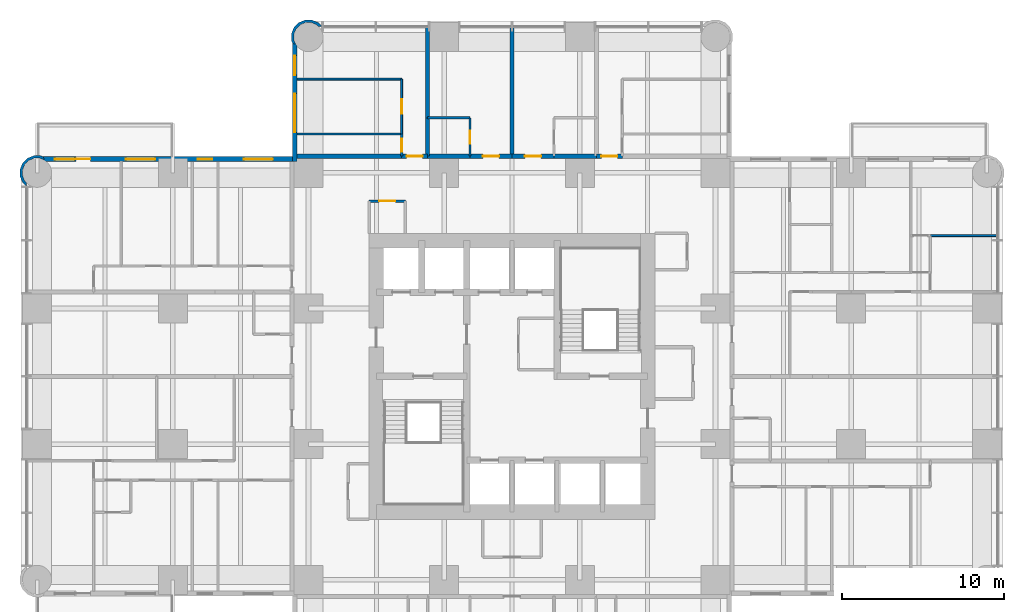
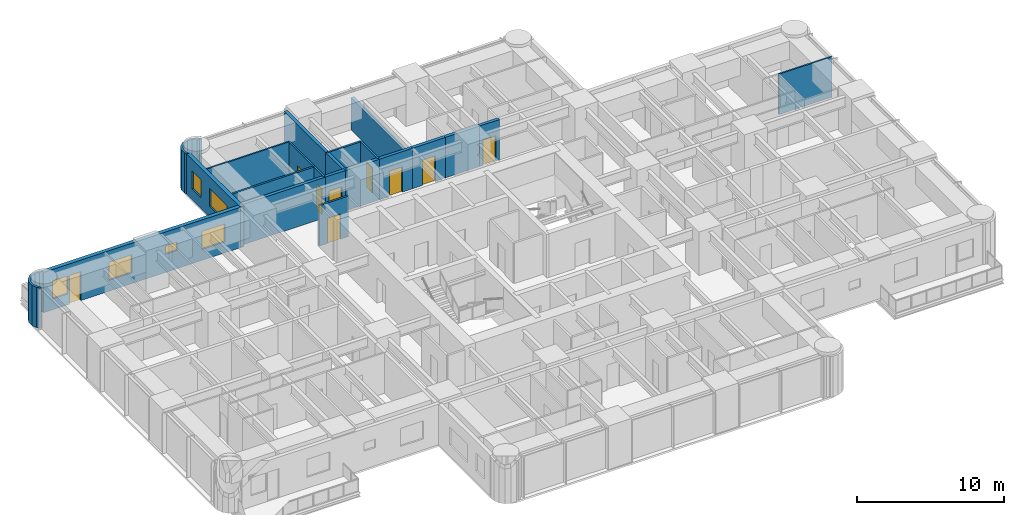
# One storey, part 11 of 14: 22 walls, 9 doors, 6 windows, 15 openings.
"""IFC4 building model written with IfcOpenShell, lengths in metres."""

from ifc_helpers import new_model, si_unit, direction, frame, frame_2d, origin, place, context, subcontext, project, spatial, polyline, rectangle, outline, extrude, material, layer, layer_set, type_object, element, fill, save


model = new_model("IFC4")

# Units and contexts
model_context = context("Model", 3, precision=1e-05, world=origin(), true_north=direction((0.0, 1.0)))
body_context = subcontext(model_context, "Body", "Model", "MODEL_VIEW")
ifc_project = project(units=[si_unit("LENGTHUNIT", "METRE"), si_unit("AREAUNIT", "SQUARE_METRE"), si_unit("VOLUMEUNIT", "CUBIC_METRE"), si_unit("PLANEANGLEUNIT", "RADIAN"), si_unit("MASSUNIT", "GRAM", prefix="KILO")], contexts=[model_context])

# Site, building, storey
site_placement = place(None, origin())
site = spatial("IfcSite", under=ifc_project, at=site_placement, CompositionType="ELEMENT")
building_placement = place(site_placement, origin())
building = spatial("IfcBuilding", under=site, at=building_placement, Name="Torre Alcanfor", CompositionType="ELEMENT")
storey_placement = place(building_placement, frame((0.0, 0.0, 173.699951171875)))
storey = spatial("IfcBuildingStorey", under=building, at=storey_placement, Name="L45", CompositionType="ELEMENT", Elevation=173.699951171875)

# Wall, opening, door
ifc_material_1 = material(Name="Concrete block masonry, hollow blocks NMX-C-404 9 MPa", Category="masonry")
ifc_layer_1 = layer(ifc_material_1, 0.25)
ifc_layer_set_1 = layer_set([ifc_layer_1], Name="Apartment entrance wall 250 EI 60")
wall_type_1 = type_object("IfcWallType", Name="Apartment entrance wall 250 EI 60", PredefinedType="PARTITIONING", material=ifc_layer_set_1)
wall_1_placement = place(storey_placement, frame((26.800048828125, 43.02490234375, 0.0), z_axis=(0.0, 0.0, 1.0), x_axis=(1.0, 0.0, 0.0)))
wall_1 = element("IfcWall", 1, at=wall_1_placement, inside=storey, type_object=wall_type_1, Name="Partition L45-CORR / L45-N1A-STUDIO", PredefinedType="PARTITIONING", context=body_context, shape_type="SweptSolid", body=[
    extrude(rectangle(XDim=2.599853515625, YDim=0.25, at=frame_2d((1.2998046875, 0.0))), origin(), (0.0, 0.0, 1.0), 3.35009765625),
])
opening_1_placement = place(wall_1_placement, frame((0.800048828125, 0.0, 0.0)))
opening_1 = element("IfcOpeningElement", 2, at=opening_1_placement, cuts=wall_1, Name="Opening D-A1", PredefinedType="OPENING", context=body_context, shape_type="SweptSolid", body=[
    extrude(rectangle(XDim=1.0, YDim=2.10009765625, at=frame_2d((0.5, 1.050048828125))), frame((0.0, 0.135009765625, 0.0), z_axis=(0.0, -1.0, 0.0), x_axis=(1.0, 0.0, 0.0)), (0.0, 0.0, 1.0), 0.27001953125),
])
ifc_material_2 = material(Name="Galvanised steel sheet ASTM A653", Category="steel")
door_type_1 = type_object("IfcDoorType", Name="Apartment entrance door FD60 1000x2100", OperationType="SINGLE_SWING_LEFT", PredefinedType="DOOR", material=ifc_material_2)
door_1_placement = place(opening_1_placement, origin())
door_1 = element("IfcDoor", 3, at=door_1_placement, inside=storey, type_object=door_type_1, Name="Apartment entrance L45-N1A", OperationType="SINGLE_SWING_LEFT", OverallHeight=2.10009765625, OverallWidth=1.0, PredefinedType="DOOR", context=body_context, shape_type="SweptSolid", body=[
    extrude(rectangle(XDim=1.0, YDim=2.10009765625, at=frame_2d((0.5, 1.050048828125))), frame((0.0, 0.02490234375, 0.0), z_axis=(0.0, -1.0, 0.0), x_axis=(1.0, 0.0, 0.0)), (0.0, 0.0, 1.0), 0.050048828125),
])
fill(opening_1, door_1)

# Wall
wall_2_placement = place(storey_placement, frame((24.1708984375, 43.02490234375, 0.0), z_axis=(0.0, 0.0, 1.0), x_axis=(1.0, 0.0, 0.0)))
element("IfcWall", 4, at=wall_2_placement, inside=storey, type_object=wall_type_1, Name="Partition L45-CORR / L45-N1A-BATH", PredefinedType="PARTITIONING", context=body_context, shape_type="SweptSolid", body=[
    extrude(rectangle(XDim=2.629150390625, YDim=0.25, at=frame_2d((1.314453125, 0.0))), origin(), (0.0, 0.0, 1.0), 3.35009765625),
])

# Wall, opening, door
wall_3_placement = place(storey_placement, frame((22.571044921875, 43.02490234375, 0.0), z_axis=(0.0, 0.0, 1.0), x_axis=(1.0, 0.0, 0.0)))
wall_3 = element("IfcWall", 5, at=wall_3_placement, inside=storey, type_object=wall_type_1, Name="Partition L45-CORR / L45-N1B-LIVING", PredefinedType="PARTITIONING", context=body_context, shape_type="SweptSolid", body=[
    extrude(rectangle(XDim=1.599853515625, YDim=0.25, at=frame_2d((0.7998046875, 0.0))), origin(), (0.0, 0.0, 1.0), 3.35009765625),
])
opening_2_placement = place(wall_3_placement, frame((0.300048828125, 0.0, 0.0)))
opening_2 = element("IfcOpeningElement", 6, at=opening_2_placement, cuts=wall_3, Name="Opening D-A1", PredefinedType="OPENING", context=body_context, shape_type="SweptSolid", body=[
    extrude(rectangle(XDim=1.0, YDim=2.10009765625, at=frame_2d((0.5, 1.050048828125))), frame((0.0, 0.135009765625, 0.0), z_axis=(0.0, -1.0, 0.0), x_axis=(1.0, 0.0, 0.0)), (0.0, 0.0, 1.0), 0.27001953125),
])
door_2_placement = place(opening_2_placement, origin())
door_2 = element("IfcDoor", 7, at=door_2_placement, inside=storey, type_object=door_type_1, Name="Apartment entrance L45-N1B", OperationType="SINGLE_SWING_LEFT", OverallHeight=2.10009765625, OverallWidth=1.0, PredefinedType="DOOR", context=body_context, shape_type="SweptSolid", body=[
    extrude(rectangle(XDim=1.0, YDim=2.10009765625, at=frame_2d((0.5, 1.050048828125))), frame((0.0, 0.02490234375, 0.0), z_axis=(0.0, -1.0, 0.0), x_axis=(1.0, 0.0, 0.0)), (0.0, 0.0, 1.0), 0.050048828125),
])
fill(opening_2, door_2)

# Wall
wall_4_placement = place(storey_placement, frame((16.10009765625, 43.02490234375, 0.0), z_axis=(0.0, 0.0, 1.0), x_axis=(1.0, 0.0, 0.0)))
element("IfcWall", 8, at=wall_4_placement, inside=storey, type_object=wall_type_1, Name="Partition L45-CORR / L45-N1B-BATH", PredefinedType="PARTITIONING", context=body_context, shape_type="SweptSolid", body=[
    extrude(rectangle(XDim=6.470947265625, YDim=0.25, at=frame_2d((3.2353515625, 0.0))), origin(), (0.0, 0.0, 1.0), 3.35009765625),
])

# Wall, opening, door
wall_5_placement = place(storey_placement, frame((29.39990234375, 43.02490234375, 0.0), z_axis=(0.0, 0.0, 1.0), x_axis=(1.0, 0.0, 0.0)))
wall_5 = element("IfcWall", 9, at=wall_5_placement, inside=storey, type_object=wall_type_1, Name="Partition L45-CORR / L45-N2A-STUDIO", PredefinedType="PARTITIONING", context=body_context, shape_type="SweptSolid", body=[
    extrude(rectangle(XDim=2.60009765625, YDim=0.25, at=frame_2d((1.300048828125, 0.0))), origin(), (0.0, 0.0, 1.0), 3.35009765625),
])
opening_3_placement = place(wall_5_placement, frame((0.800048828125, 0.0, 0.0)))
opening_3 = element("IfcOpeningElement", 10, at=opening_3_placement, cuts=wall_5, Name="Opening D-A1", PredefinedType="OPENING", context=body_context, shape_type="SweptSolid", body=[
    extrude(rectangle(XDim=1.0, YDim=2.10009765625, at=frame_2d((0.5, 1.050048828125))), frame((0.0, 0.135009765625, 0.0), z_axis=(0.0, -1.0, 0.0), x_axis=(1.0, 0.0, 0.0)), (0.0, 0.0, 1.0), 0.27001953125),
])
door_3_placement = place(opening_3_placement, origin())
door_3 = element("IfcDoor", 11, at=door_3_placement, inside=storey, type_object=door_type_1, Name="Apartment entrance L45-N2A", OperationType="SINGLE_SWING_LEFT", OverallHeight=2.10009765625, OverallWidth=1.0, PredefinedType="DOOR", context=body_context, shape_type="SweptSolid", body=[
    extrude(rectangle(XDim=1.0, YDim=2.10009765625, at=frame_2d((0.5, 1.050048828125))), frame((0.0, 0.02490234375, 0.0), z_axis=(0.0, -1.0, 0.0), x_axis=(1.0, 0.0, 0.0)), (0.0, 0.0, 1.0), 0.050048828125),
])
fill(opening_3, door_3)

# Wall
wall_6_placement = place(storey_placement, frame((32.0, 43.02490234375, 0.0), z_axis=(0.0, 0.0, 1.0), x_axis=(1.0, 0.0, 0.0)))
element("IfcWall", 12, at=wall_6_placement, inside=storey, type_object=wall_type_1, Name="Partition L45-CORR / L45-N2A-BATH", PredefinedType="PARTITIONING", context=body_context, shape_type="SweptSolid", body=[
    extrude(rectangle(XDim=2.62890625, YDim=0.25, at=frame_2d((1.314453125, 0.0))), origin(), (0.0, 0.0, 1.0), 3.35009765625),
])

# Wall, opening, door
wall_7_placement = place(storey_placement, frame((34.62890625, 43.02490234375, 0.0), z_axis=(0.0, 0.0, 1.0), x_axis=(1.0, 0.0, 0.0)))
wall_7 = element("IfcWall", 13, at=wall_7_placement, inside=storey, type_object=wall_type_1, Name="Partition L45-CORR / L45-N2B-LIVING", PredefinedType="PARTITIONING", context=body_context, shape_type="SweptSolid", body=[
    extrude(rectangle(XDim=1.60009765625, YDim=0.25, at=frame_2d((0.800048828125, 0.0))), origin(), (0.0, 0.0, 1.0), 3.35009765625),
])
opening_4_placement = place(wall_7_placement, frame((0.300048828125, 0.0, 0.0)))
opening_4 = element("IfcOpeningElement", 14, at=opening_4_placement, cuts=wall_7, Name="Opening D-A1", PredefinedType="OPENING", context=body_context, shape_type="SweptSolid", body=[
    extrude(rectangle(XDim=1.0, YDim=2.10009765625, at=frame_2d((0.5, 1.050048828125))), frame((0.0, 0.135009765625, 0.0), z_axis=(0.0, -1.0, 0.0), x_axis=(1.0, 0.0, 0.0)), (0.0, 0.0, 1.0), 0.27001953125),
])
door_4_placement = place(opening_4_placement, origin())
door_4 = element("IfcDoor", 15, at=door_4_placement, inside=storey, type_object=door_type_1, Name="Apartment entrance L45-N2B", OperationType="SINGLE_SWING_LEFT", OverallHeight=2.10009765625, OverallWidth=1.0, PredefinedType="DOOR", context=body_context, shape_type="SweptSolid", body=[
    extrude(rectangle(XDim=1.0, YDim=2.10009765625, at=frame_2d((0.5, 1.050048828125))), frame((0.0, 0.02490234375, 0.0), z_axis=(0.0, -1.0, 0.0), x_axis=(1.0, 0.0, 0.0)), (0.0, 0.0, 1.0), 0.050048828125),
])
fill(opening_4, door_4)

ifc_material_3 = material(Name="Gypsum board on steel studs", Category="steel")
ifc_layer_2 = layer(ifc_material_3, 0.1201171875)
ifc_layer_set_2 = layer_set([ifc_layer_2], Name="Apartment partition 120")
wall_type_2 = type_object("IfcWallType", Name="Apartment partition 120", PredefinedType="PARTITIONING", material=ifc_layer_set_2)
wall_8_placement = place(storey_placement, frame((22.571044921875, 44.39990234375, 0.0), z_axis=(0.0, 0.0, 1.0), x_axis=(0.0, 1.0, 0.0)))
wall_8 = element("IfcWall", 16, at=wall_8_placement, inside=storey, type_object=wall_type_2, Name="Partition L45-N1B-LIVING / L45-N1B-MASTER", PredefinedType="PARTITIONING", context=body_context, shape_type="SweptSolid", body=[
    extrude(rectangle(XDim=3.400146484375, YDim=0.1201171875, at=frame_2d((1.7001953125, 0.0))), origin(), (0.0, 0.0, 1.0), 3.35009765625),
])
opening_5_placement = place(wall_8_placement, frame((1.25, 0.0, 0.0)))
opening_5 = element("IfcOpeningElement", 17, at=opening_5_placement, cuts=wall_8, Name="Opening D-R1", PredefinedType="OPENING", context=body_context, shape_type="SweptSolid", body=[
    extrude(rectangle(XDim=0.89990234375, YDim=2.10009765625, at=frame_2d((0.449951171875, 1.050048828125))), frame((0.0, 0.070068359375, 0.0), z_axis=(0.0, -1.0, 0.0), x_axis=(1.0, 0.0, 0.0)), (0.0, 0.0, 1.0), 0.14013671875),
])
ifc_material_4 = material(Name="Timber", Category="wood")
door_type_2 = type_object("IfcDoorType", Name="Internal door 900x2100", OperationType="SINGLE_SWING_LEFT", PredefinedType="DOOR", material=ifc_material_4)
door_5_placement = place(opening_5_placement, origin())
door_5 = element("IfcDoor", 18, at=door_5_placement, inside=storey, type_object=door_type_2, Name="Door L45-N1B master", OperationType="SINGLE_SWING_LEFT", OverallHeight=2.10009765625, OverallWidth=0.89990234375, PredefinedType="DOOR", context=body_context, shape_type="SweptSolid", body=[
    extrude(rectangle(XDim=0.89990234375, YDim=2.10009765625, at=frame_2d((0.449951171875, 1.050048828125))), frame((0.0, 0.02490234375, 0.0), z_axis=(0.0, -1.0, 0.0), x_axis=(1.0, 0.0, 0.0)), (0.0, 0.0, 1.0), 0.050048828125),
])
fill(opening_5, door_5)

# Walls
wall_9_placement = place(storey_placement, frame((22.571044921875, 47.800048828125, 0.0), z_axis=(0.0, 0.0, 1.0), x_axis=(-1.0, 0.0, 0.0)))
element("IfcWall", 19, at=wall_9_placement, inside=storey, type_object=wall_type_2, Name="Partition L45-N1B-LIVING / L45-N1B-MASTER", PredefinedType="PARTITIONING", context=body_context, shape_type="SweptSolid", body=[
    extrude(rectangle(XDim=6.470947265625, YDim=0.1201171875, at=frame_2d((3.2353515625, 0.0))), origin(), (0.0, 0.0, 1.0), 3.35009765625),
])
wall_10_placement = place(storey_placement, frame((59.449951171875, 38.114013671875, 0.0), z_axis=(0.0, 0.0, 1.0), x_axis=(-1.0, 0.0, 0.0)))
element("IfcWall", 20, at=wall_10_placement, inside=storey, type_object=wall_type_2, Name="Partition L45-E1-BED2 / L45-E1-MASTER", PredefinedType="PARTITIONING", context=body_context, shape_type="SweptSolid", body=[
    extrude(rectangle(XDim=4.14990234375, YDim=0.1201171875, at=frame_2d((2.074951171875, 0.0))), origin(), (0.0, 0.0, 1.0), 3.35009765625),
])

# Wall, openings, door, windows
ifc_material_5 = material(Name="Limestone cladding", Category="masonry")
ifc_layer_3 = layer(ifc_material_5, 0.0400390625, Name="Facing")
ifc_material_6 = material(Name="Ventilated air cavity")
ifc_layer_4 = layer(ifc_material_6, 0.02001953125, ventilated=True, Name="Ventilated joint")
ifc_material_7 = material(Name="Mineral wool insulation", Category="insulation")
ifc_layer_5 = layer(ifc_material_7, 0.10009765625, Name="Insulation")
ifc_material_8 = material(Name="Concrete f'c 35 MPa", Category="concrete")
ifc_layer_6 = layer(ifc_material_8, 0.139892578125, Name="Backing")
ifc_layer_set_3 = layer_set([ifc_layer_3, ifc_layer_4, ifc_layer_5, ifc_layer_6], Name="External wall stone-clad 300")
wall_type_3 = type_object("IfcWallType", Name="External wall stone-clad 300", PredefinedType="SOLIDWALL", material=ifc_layer_set_3)
wall_11_placement = place(storey_placement, frame((15.800048828125, 42.85009765625, 0.0), z_axis=(0.0, 0.0, 1.0), x_axis=(-1.0, 0.0, 0.0)))
wall_11 = element("IfcWall", 21, at=wall_11_placement, inside=storey, type_object=wall_type_3, Name="External wall L45 1", PredefinedType="SOLIDWALL", context=body_context, shape_type="SweptSolid", body=[
    extrude(rectangle(XDim=15.400146484375, YDim=0.300048828125, at=frame_2d((7.7001953125, 0.0))), origin(), (0.0, 0.0, 1.0), 3.35009765625),
])
opening_6_placement = place(wall_11_placement, frame((1.199951171875, 0.0, 0.89990234375)))
opening_6 = element("IfcOpeningElement", 22, at=opening_6_placement, cuts=wall_11, Name="Opening W2", PredefinedType="OPENING", context=body_context, shape_type="SweptSolid", body=[
    extrude(rectangle(XDim=1.800048828125, YDim=1.5, at=frame_2d((0.89990234375, 0.75))), frame((0.0, 0.159912109375, 0.0), z_axis=(0.0, -1.0, 0.0), x_axis=(1.0, 0.0, 0.0)), (0.0, 0.0, 1.0), 0.320068359375),
])
opening_7_placement = place(wall_11_placement, frame((4.949951171875, 0.0, 1.5)))
opening_7 = element("IfcOpeningElement", 23, at=opening_7_placement, cuts=wall_11, Name="Opening W3", PredefinedType="OPENING", context=body_context, shape_type="SweptSolid", body=[
    extrude(rectangle(XDim=0.89990234375, YDim=0.699951171875, at=frame_2d((0.449951171875, 0.35009765625))), frame((0.0, 0.159912109375, 0.0), z_axis=(0.0, -1.0, 0.0), x_axis=(1.0, 0.0, 0.0)), (0.0, 0.0, 1.0), 0.320068359375),
])
opening_8_placement = place(wall_11_placement, frame((8.5, 0.0, 0.89990234375)))
opening_8 = element("IfcOpeningElement", 24, at=opening_8_placement, cuts=wall_11, Name="Opening W2", PredefinedType="OPENING", context=body_context, shape_type="SweptSolid", body=[
    extrude(rectangle(XDim=1.800048828125, YDim=1.5, at=frame_2d((0.89990234375, 0.75))), frame((0.0, 0.159912109375, 0.0), z_axis=(0.0, -1.0, 0.0), x_axis=(1.0, 0.0, 0.0)), (0.0, 0.0, 1.0), 0.320068359375),
])
opening_9_placement = place(wall_11_placement, frame((12.5, 0.0, 0.0)))
opening_9 = element("IfcOpeningElement", 25, at=opening_9_placement, cuts=wall_11, Name="Opening D-B1", PredefinedType="OPENING", context=body_context, shape_type="SweptSolid", body=[
    extrude(rectangle(XDim=0.89990234375, YDim=2.39990234375, at=frame_2d((0.449951171875, 1.199951171875))), frame((0.0, 0.159912109375, 0.0), z_axis=(0.0, -1.0, 0.0), x_axis=(1.0, 0.0, 0.0)), (0.0, 0.0, 1.0), 0.320068359375),
])
opening_10_placement = place(wall_11_placement, frame((13.5, 0.0, 0.89990234375)))
opening_10 = element("IfcOpeningElement", 26, at=opening_10_placement, cuts=wall_11, Name="Opening W4", PredefinedType="OPENING", context=body_context, shape_type="SweptSolid", body=[
    extrude(rectangle(XDim=1.199951171875, YDim=1.5, at=frame_2d((0.60009765625, 0.75))), frame((0.0, 0.159912109375, 0.0), z_axis=(0.0, -1.0, 0.0), x_axis=(1.0, 0.0, 0.0)), (0.0, 0.0, 1.0), 0.320068359375),
])
ifc_material_9 = material(Name="Aluminium and glass", Category="aluminium")
door_type_3 = type_object("IfcDoorType", Name="Balcony door glazed 900x2400", OperationType="SINGLE_SWING_LEFT", PredefinedType="DOOR", material=ifc_material_9)
door_6_placement = place(opening_9_placement, origin())
door_6 = element("IfcDoor", 27, at=door_6_placement, inside=storey, type_object=door_type_3, Name="Balcony door L45-W2", OperationType="SINGLE_SWING_LEFT", OverallHeight=2.39990234375, OverallWidth=0.89990234375, PredefinedType="DOOR", context=body_context, shape_type="SweptSolid", body=[
    extrude(rectangle(XDim=0.89990234375, YDim=2.39990234375, at=frame_2d((0.449951171875, 1.199951171875))), frame((0.0, 0.02490234375, 0.0), z_axis=(0.0, -1.0, 0.0), x_axis=(1.0, 0.0, 0.0)), (0.0, 0.0, 1.0), 0.050048828125),
])
fill(opening_9, door_6)
ifc_material_10 = material(Name="Aluminium frame with clear double glazing", Category="aluminium")
window_type_1 = type_object("IfcWindowType", Name="Window bathroom 900x700", PartitioningType="SINGLE_PANEL", PredefinedType="WINDOW", material=ifc_material_10)
window_1_placement = place(opening_7_placement, origin())
window_1 = element("IfcWindow", 28, at=window_1_placement, inside=storey, type_object=window_type_1, Name="Window W3 L45-W2", OverallHeight=0.699951171875, OverallWidth=0.89990234375, PartitioningType="SINGLE_PANEL", PredefinedType="WINDOW", context=body_context, shape_type="SweptSolid", body=[
    extrude(rectangle(XDim=0.89990234375, YDim=0.699951171875, at=frame_2d((0.449951171875, 0.35009765625))), frame((0.0, 0.030029296875, 0.0), z_axis=(0.0, -1.0, 0.0), x_axis=(1.0, 0.0, 0.0)), (0.0, 0.0, 1.0), 0.06005859375),
])
fill(opening_7, window_1)
ifc_material_11 = material(Name="Aluminium frame with clear double glazing", Category="aluminium")
window_type_2 = type_object("IfcWindowType", Name="Window bedroom 1200x1500", PartitioningType="SINGLE_PANEL", PredefinedType="WINDOW", material=ifc_material_11)
window_2_placement = place(opening_10_placement, origin())
window_2 = element("IfcWindow", 29, at=window_2_placement, inside=storey, type_object=window_type_2, Name="Window W4 L45-W2", OverallHeight=1.5, OverallWidth=1.199951171875, PartitioningType="SINGLE_PANEL", PredefinedType="WINDOW", context=body_context, shape_type="SweptSolid", body=[
    extrude(rectangle(XDim=1.199951171875, YDim=1.5, at=frame_2d((0.60009765625, 0.75))), frame((0.0, 0.030029296875, 0.0), z_axis=(0.0, -1.0, 0.0), x_axis=(1.0, 0.0, 0.0)), (0.0, 0.0, 1.0), 0.06005859375),
])
fill(opening_10, window_2)
ifc_material_12 = material(Name="Aluminium frame with clear double glazing", Category="aluminium")
window_type_3 = type_object("IfcWindowType", Name="Window bedroom 1800x1500", PartitioningType="SINGLE_PANEL", PredefinedType="WINDOW", material=ifc_material_12)
window_3_placement = place(opening_6_placement, origin())
window_3 = element("IfcWindow", 30, at=window_3_placement, inside=storey, type_object=window_type_3, Name="Window W2 L45-W2", OverallHeight=1.5, OverallWidth=1.800048828125, PartitioningType="SINGLE_PANEL", PredefinedType="WINDOW", context=body_context, shape_type="SweptSolid", body=[
    extrude(rectangle(XDim=1.800048828125, YDim=1.5, at=frame_2d((0.89990234375, 0.75))), frame((0.0, 0.030029296875, 0.0), z_axis=(0.0, -1.0, 0.0), x_axis=(1.0, 0.0, 0.0)), (0.0, 0.0, 1.0), 0.06005859375),
])
fill(opening_6, window_3)
window_4_placement = place(opening_8_placement, origin())
window_4 = element("IfcWindow", 31, at=window_4_placement, inside=storey, type_object=window_type_3, Name="Window W2 L45-W2", OverallHeight=1.5, OverallWidth=1.800048828125, PartitioningType="SINGLE_PANEL", PredefinedType="WINDOW", context=body_context, shape_type="SweptSolid", body=[
    extrude(rectangle(XDim=1.800048828125, YDim=1.5, at=frame_2d((0.89990234375, 0.75))), frame((0.0, 0.030029296875, 0.0), z_axis=(0.0, -1.0, 0.0), x_axis=(1.0, 0.0, 0.0)), (0.0, 0.0, 1.0), 0.06005859375),
])
fill(opening_8, window_4)

# Wall, openings, windows
wall_12_placement = place(storey_placement, frame((15.949951171875, 50.0, 0.0), z_axis=(0.0, 0.0, 1.0), x_axis=(0.0, -1.0, 0.0)))
wall_12 = element("IfcWall", 32, at=wall_12_placement, inside=storey, type_object=wall_type_3, Name="External wall L45 12", PredefinedType="SOLIDWALL", context=body_context, shape_type="SweptSolid", body=[
    extrude(rectangle(XDim=7.300048828125, YDim=0.300048828125, at=frame_2d((3.64990234375, 0.0))), origin(), (0.0, 0.0, 1.0), 3.35009765625),
])
opening_11_placement = place(wall_12_placement, frame((3.10009765625, 0.0, 0.89990234375)))
opening_11 = element("IfcOpeningElement", 33, at=opening_11_placement, cuts=wall_12, Name="Opening W1", PredefinedType="OPENING", context=body_context, shape_type="SweptSolid", body=[
    extrude(rectangle(XDim=2.39990234375, YDim=1.5, at=frame_2d((1.199951171875, 0.75))), frame((0.0, 0.159912109375, 0.0), z_axis=(0.0, -1.0, 0.0), x_axis=(1.0, 0.0, 0.0)), (0.0, 0.0, 1.0), 0.320068359375),
])
opening_12_placement = place(wall_12_placement, frame((0.75, 0.0, 0.89990234375)))
opening_12 = element("IfcOpeningElement", 34, at=opening_12_placement, cuts=wall_12, Name="Opening W4", PredefinedType="OPENING", context=body_context, shape_type="SweptSolid", body=[
    extrude(rectangle(XDim=1.199951171875, YDim=1.5, at=frame_2d((0.60009765625, 0.75))), frame((0.0, 0.159912109375, 0.0), z_axis=(0.0, -1.0, 0.0), x_axis=(1.0, 0.0, 0.0)), (0.0, 0.0, 1.0), 0.320068359375),
])
window_5_placement = place(opening_12_placement, origin())
window_5 = element("IfcWindow", 35, at=window_5_placement, inside=storey, type_object=window_type_2, Name="Window W4 L45-N1", OverallHeight=1.5, OverallWidth=1.199951171875, PartitioningType="SINGLE_PANEL", PredefinedType="WINDOW", context=body_context, shape_type="SweptSolid", body=[
    extrude(rectangle(XDim=1.199951171875, YDim=1.5, at=frame_2d((0.60009765625, 0.75))), frame((0.0, 0.030029296875, 0.0), z_axis=(0.0, -1.0, 0.0), x_axis=(1.0, 0.0, 0.0)), (0.0, 0.0, 1.0), 0.06005859375),
])
fill(opening_12, window_5)
ifc_material_13 = material(Name="Aluminium frame with clear double glazing", Category="aluminium")
window_type_4 = type_object("IfcWindowType", Name="Window bedroom 2400x1500", PartitioningType="SINGLE_PANEL", PredefinedType="WINDOW", material=ifc_material_13)
window_6_placement = place(opening_11_placement, origin())
window_6 = element("IfcWindow", 36, at=window_6_placement, inside=storey, type_object=window_type_4, Name="Window W1 L45-N1", OverallHeight=1.5, OverallWidth=2.39990234375, PartitioningType="SINGLE_PANEL", PredefinedType="WINDOW", context=body_context, shape_type="SweptSolid", body=[
    extrude(rectangle(XDim=2.39990234375, YDim=1.5, at=frame_2d((1.199951171875, 0.75))), frame((0.0, 0.030029296875, 0.0), z_axis=(0.0, -1.0, 0.0), x_axis=(1.0, 0.0, 0.0)), (0.0, 0.0, 1.0), 0.06005859375),
])
fill(opening_11, window_6)

# Walls
ifc_material_14 = material(Name="Concrete block masonry, hollow blocks NMX-C-404 9 MPa", Category="masonry")
ifc_layer_7 = layer(ifc_material_14, 0.25)
ifc_layer_set_4 = layer_set([ifc_layer_7], Name="Party wall 250 EI 60")
wall_type_4 = type_object("IfcWallType", Name="Party wall 250 EI 60", PredefinedType="PARTITIONING", material=ifc_layer_set_4)
wall_13_placement = place(storey_placement, frame((24.1708984375, 45.39990234375, 0.0), z_axis=(0.0, 0.0, 1.0), x_axis=(0.0, 1.0, 0.0)))
element("IfcWall", 37, at=wall_13_placement, inside=storey, type_object=wall_type_4, Name="Partition L45-N1A-STUDIO / L45-N1B-LIVING", PredefinedType="PARTITIONING", context=body_context, shape_type="SweptSolid", body=[
    extrude(rectangle(XDim=5.650146484375, YDim=0.25, at=frame_2d((2.8251953125, 0.0))), origin(), (0.0, 0.0, 1.0), 3.35009765625),
])
wall_14_placement = place(storey_placement, frame((29.39990234375, 51.050048828125, 0.0), z_axis=(0.0, 0.0, 1.0), x_axis=(0.0, -1.0, 0.0)))
element("IfcWall", 38, at=wall_14_placement, inside=storey, type_object=wall_type_4, Name="Partition L45-N1A-STUDIO / L45-N2A-STUDIO", PredefinedType="PARTITIONING", context=body_context, shape_type="SweptSolid", body=[
    extrude(rectangle(XDim=8.025146484375, YDim=0.25, at=frame_2d((4.0126953125, 0.0))), origin(), (0.0, 0.0, 1.0), 2.666748046875),
])
wall_15_placement = place(storey_placement, frame((24.1708984375, 45.39990234375, 0.0), z_axis=(0.0, 0.0, 1.0), x_axis=(0.0, -1.0, 0.0)))
element("IfcWall", 39, at=wall_15_placement, inside=storey, type_object=wall_type_4, Name="Partition L45-N1A-BATH / L45-N1B-LIVING", PredefinedType="PARTITIONING", context=body_context, shape_type="SweptSolid", body=[
    extrude(rectangle(XDim=2.375, YDim=0.25, at=frame_2d((1.1875, 0.0))), origin(), (0.0, 0.0, 1.0), 3.35009765625),
])

# Wall, opening, door
ifc_material_15 = material(Name="Concrete block masonry, hollow blocks NMX-C-404 9 MPa", Category="masonry")
ifc_layer_8 = layer(ifc_material_15, 0.14990234375)
ifc_layer_set_5 = layer_set([ifc_layer_8], Name="Residents' room partition 150")
wall_type_5 = type_object("IfcWallType", Name="Residents' room partition 150", PredefinedType="PARTITIONING", material=ifc_layer_set_5)
wall_16_placement = place(storey_placement, frame((22.800048828125, 40.25, 0.0), z_axis=(0.0, 0.0, 1.0), x_axis=(-1.0, 0.0, 0.0)))
wall_16 = element("IfcWall", 40, at=wall_16_placement, inside=storey, type_object=wall_type_5, Name="Partition L45-CORR / L45-G01", PredefinedType="PARTITIONING", context=body_context, shape_type="SweptSolid", body=[
    extrude(rectangle(XDim=2.25, YDim=0.14990234375, at=frame_2d((1.125, 0.0))), origin(), (0.0, 0.0, 1.0), 3.35009765625),
])
opening_13_placement = place(wall_16_placement, frame((0.625, 0.0, 0.0)))
opening_13 = element("IfcOpeningElement", 41, at=opening_13_placement, cuts=wall_16, Name="Opening D-M1", PredefinedType="OPENING", context=body_context, shape_type="SweptSolid", body=[
    extrude(rectangle(XDim=1.0, YDim=2.10009765625, at=frame_2d((0.5, 1.050048828125))), frame((0.0, 0.0849609375, 0.0), z_axis=(0.0, -1.0, 0.0), x_axis=(1.0, 0.0, 0.0)), (0.0, 0.0, 1.0), 0.169921875),
])
ifc_material_16 = material(Name="Timber", Category="wood")
door_type_4 = type_object("IfcDoorType", Name="Residents' room door 1000x2100", OperationType="SINGLE_SWING_LEFT", PredefinedType="DOOR", material=ifc_material_16)
door_7_placement = place(opening_13_placement, origin())
door_7 = element("IfcDoor", 42, at=door_7_placement, inside=storey, type_object=door_type_4, Name="Door L45-G01 residents' storage lockers", OperationType="SINGLE_SWING_LEFT", OverallHeight=2.10009765625, OverallWidth=1.0, PredefinedType="DOOR", context=body_context, shape_type="SweptSolid", body=[
    extrude(rectangle(XDim=1.0, YDim=2.10009765625, at=frame_2d((0.5, 1.050048828125))), frame((0.0, 0.02490234375, 0.0), z_axis=(0.0, -1.0, 0.0), x_axis=(1.0, 0.0, 0.0)), (0.0, 0.0, 1.0), 0.050048828125),
])
fill(opening_13, door_7)

# Walls
ifc_layer_9 = layer(ifc_material_5, 0.0400390625, Name="Facing")
ifc_layer_10 = layer(ifc_material_6, 0.02001953125, ventilated=True, Name="Ventilated joint")
ifc_layer_11 = layer(ifc_material_7, 0.10009765625, Name="Insulation")
ifc_layer_12 = layer(ifc_material_8, 0.139892578125, Name="Backing")
ifc_layer_set_6 = layer_set([ifc_layer_9, ifc_layer_10, ifc_layer_11, ifc_layer_12], Name="Rounded corner pier stone-clad 300")
wall_type_6 = type_object("IfcWallType", Name="Rounded corner pier stone-clad 300", PredefinedType="SOLIDWALL", material=ifc_layer_set_6)
wall_17_placement = place(storey_placement, frame((0.363962863, 42.909907157, 0.0), z_axis=(0.0, 0.0, 1.0), x_axis=(-0.926129809145, 0.377204953059, 0.0)))
element("IfcWall", 43, at=wall_17_placement, inside=storey, type_object=wall_type_6, Name="Corner pier L45 13", PredefinedType="SOLIDWALL", context=body_context, shape_type="SweptSolid", body=[
    extrude(outline(polyline([(0.36027248147905344, 1.8032799323574271), (0.5087783723473315, 1.740921099842025), (0.7605913470133172, 1.4857584601095954), (0.8957810128069955, 1.1538349835897281), (0.8939031559639274, 0.7953461823991875), (0.7547957339381889, 0.4650577343600455), (0.4996330942057594, 0.21324475969405968), (0.1677096176858921, 0.07805509390038129), (-0.09992182078970525, 0.07950523369113624), (0.0006988421670046999, -0.09699421764222865), (0.0300177129428464, -0.08030783699434613), (0.19858532179107968, -0.08124570553990346), (0.5888441232034033, 0.0777034519259609), (0.8888369702307105, 0.374136779300854), (1.052603126025944, 0.7629734686109036), (1.0550818122472803, 1.1847106876949156), (0.8961326547814159, 1.5749694891072394), (0.7776866026168303, 1.6949130219751851), (0.7691400347446393, 1.7275471706587737), (0.7502646662372825, 1.7227591424871238), (0.599699327406523, 1.8749623361345464), (0.2945484394782597, 2.0034825844222954), (0.2809820848521072, 1.9979571212427172), (0.36027248147905344, 1.8032799323574271)])), origin(), (0.0, 0.0, 1.0), 3.35009765625),
])
wall_18_placement = place(storey_placement, frame((17.56659392, 51.010519256, 0.0), z_axis=(0.0, 0.0, 1.0), x_axis=(-0.377204953059, 0.926129809145, 0.0)))
element("IfcWall", 44, at=wall_18_placement, inside=storey, type_object=wall_type_6, Name="Corner pier L45 20", PredefinedType="SOLIDWALL", context=body_context, shape_type="SweptSolid", body=[
    extrude(outline(polyline([(-0.2695224472393146, 2.01722293730975), (-0.3701431101960245, 1.8407234859763855), (-0.10241958066743428, 1.8423997316775762), (0.22950389585243314, 1.707210065883898), (0.4845744445318696, 1.4551709853074761), (0.6236818665576082, 1.1248825372683342), (0.6257858293111122, 0.7663016450248007), (0.4905961635174338, 0.43437816850493327), (0.2386491739940051, 0.17953372573593263), (0.09027729798316994, 0.11685669625710161), (0.0109869013562237, -0.07782049262818846), (0.02455325598237632, -0.0833459558077666), (0.32947803800020364, 0.045266383532975185), (0.4800433768309631, 0.19746957718039798), (0.49891874533832004, 0.19268154900874804), (0.507465313210511, 0.22531569769233664), (0.6259113653750967, 0.34525923056028235), (0.784952613893954, 0.7357441378830418), (0.7823818366196249, 1.157255251056618), (0.618841786734827, 1.5459998493136748), (0.3188489397075199, 1.842433176688568), (-0.0716359676152396, 2.0014744252074252), (-0.2399774705530371, 2.000444465608875), (-0.2695224472393146, 2.01722293730975)])), origin(), (0.0, 0.0, 1.0), 3.35009765625),
])

# Wall, opening, door
ifc_material_17 = material(Name="Cement board on steel studs", Category="steel")
ifc_layer_13 = layer(ifc_material_17, 0.14990234375)
ifc_layer_set_7 = layer_set([ifc_layer_13], Name="Wet area partition 150")
wall_type_7 = type_object("IfcWallType", Name="Wet area partition 150", PredefinedType="PARTITIONING", material=ifc_layer_set_7)
wall_19_placement = place(storey_placement, frame((26.800048828125, 43.02490234375, 0.0), z_axis=(0.0, 0.0, 1.0), x_axis=(0.0, 1.0, 0.0)))
wall_19 = element("IfcWall", 45, at=wall_19_placement, inside=storey, type_object=wall_type_7, Name="Partition L45-N1A-STUDIO / L45-N1A-BATH", PredefinedType="PARTITIONING", context=body_context, shape_type="SweptSolid", body=[
    extrude(rectangle(XDim=2.375, YDim=0.14990234375, at=frame_2d((1.1875, 0.0))), origin(), (0.0, 0.0, 1.0), 3.35009765625),
])
opening_14_placement = place(wall_19_placement, frame((0.77490234375, 0.0, 0.0)))
opening_14 = element("IfcOpeningElement", 46, at=opening_14_placement, cuts=wall_19, Name="Opening D-R2", PredefinedType="OPENING", context=body_context, shape_type="SweptSolid", body=[
    extrude(rectangle(XDim=0.800048828125, YDim=2.10009765625, at=frame_2d((0.39990234375, 1.050048828125))), frame((0.0, 0.0849609375, 0.0), z_axis=(0.0, -1.0, 0.0), x_axis=(1.0, 0.0, 0.0)), (0.0, 0.0, 1.0), 0.169921875),
])
ifc_material_18 = material(Name="Timber", Category="wood")
door_type_5 = type_object("IfcDoorType", Name="Bathroom door 800x2100", OperationType="SINGLE_SWING_LEFT", PredefinedType="DOOR", material=ifc_material_18)
door_8_placement = place(opening_14_placement, origin())
door_8 = element("IfcDoor", 47, at=door_8_placement, inside=storey, type_object=door_type_5, Name="Door L45-N1A bath", OperationType="SINGLE_SWING_LEFT", OverallHeight=2.10009765625, OverallWidth=0.800048828125, PredefinedType="DOOR", context=body_context, shape_type="SweptSolid", body=[
    extrude(rectangle(XDim=0.800048828125, YDim=2.10009765625, at=frame_2d((0.39990234375, 1.050048828125))), frame((0.0, 0.02490234375, 0.0), z_axis=(0.0, -1.0, 0.0), x_axis=(1.0, 0.0, 0.0)), (0.0, 0.0, 1.0), 0.050048828125),
])
fill(opening_14, door_8)

# Wall
wall_20_placement = place(storey_placement, frame((26.800048828125, 45.39990234375, 0.0), z_axis=(0.0, 0.0, 1.0), x_axis=(-1.0, 0.0, 0.0)))
element("IfcWall", 48, at=wall_20_placement, inside=storey, type_object=wall_type_7, Name="Partition L45-N1A-STUDIO / L45-N1A-BATH", PredefinedType="PARTITIONING", context=body_context, shape_type="SweptSolid", body=[
    extrude(rectangle(XDim=2.629150390625, YDim=0.14990234375, at=frame_2d((1.314453125, 0.0))), origin(), (0.0, 0.0, 1.0), 3.35009765625),
])

# Wall, opening, door
wall_21_placement = place(storey_placement, frame((22.571044921875, 43.02490234375, 0.0), z_axis=(0.0, 0.0, 1.0), x_axis=(0.0, 1.0, 0.0)))
wall_21 = element("IfcWall", 49, at=wall_21_placement, inside=storey, type_object=wall_type_7, Name="Partition L45-N1B-LIVING / L45-N1B-BATH", PredefinedType="PARTITIONING", context=body_context, shape_type="SweptSolid", body=[
    extrude(rectangle(XDim=1.375, YDim=0.14990234375, at=frame_2d((0.6875, 0.0))), origin(), (0.0, 0.0, 1.0), 3.35009765625),
])
opening_15_placement = place(wall_21_placement, frame((0.27490234375, 0.0, 0.0)))
opening_15 = element("IfcOpeningElement", 50, at=opening_15_placement, cuts=wall_21, Name="Opening D-R2", PredefinedType="OPENING", context=body_context, shape_type="SweptSolid", body=[
    extrude(rectangle(XDim=0.800048828125, YDim=2.10009765625, at=frame_2d((0.39990234375, 1.050048828125))), frame((0.0, 0.0849609375, 0.0), z_axis=(0.0, -1.0, 0.0), x_axis=(1.0, 0.0, 0.0)), (0.0, 0.0, 1.0), 0.169921875),
])
door_9_placement = place(opening_15_placement, origin())
door_9 = element("IfcDoor", 51, at=door_9_placement, inside=storey, type_object=door_type_5, Name="Door L45-N1B bath", OperationType="SINGLE_SWING_LEFT", OverallHeight=2.10009765625, OverallWidth=0.800048828125, PredefinedType="DOOR", context=body_context, shape_type="SweptSolid", body=[
    extrude(rectangle(XDim=0.800048828125, YDim=2.10009765625, at=frame_2d((0.39990234375, 1.050048828125))), frame((0.0, 0.02490234375, 0.0), z_axis=(0.0, -1.0, 0.0), x_axis=(1.0, 0.0, 0.0)), (0.0, 0.0, 1.0), 0.050048828125),
])
fill(opening_15, door_9)

# Wall
wall_22_placement = place(storey_placement, frame((22.571044921875, 44.39990234375, 0.0), z_axis=(0.0, 0.0, 1.0), x_axis=(-1.0, 0.0, 0.0)))
element("IfcWall", 52, at=wall_22_placement, inside=storey, type_object=wall_type_7, Name="Partition L45-N1B-BATH / L45-N1B-MASTER", PredefinedType="PARTITIONING", context=body_context, shape_type="SweptSolid", body=[
    extrude(rectangle(XDim=6.470947265625, YDim=0.14990234375, at=frame_2d((3.2353515625, 0.0))), origin(), (0.0, 0.0, 1.0), 3.35009765625),
])

save(model, "model.ifc")
